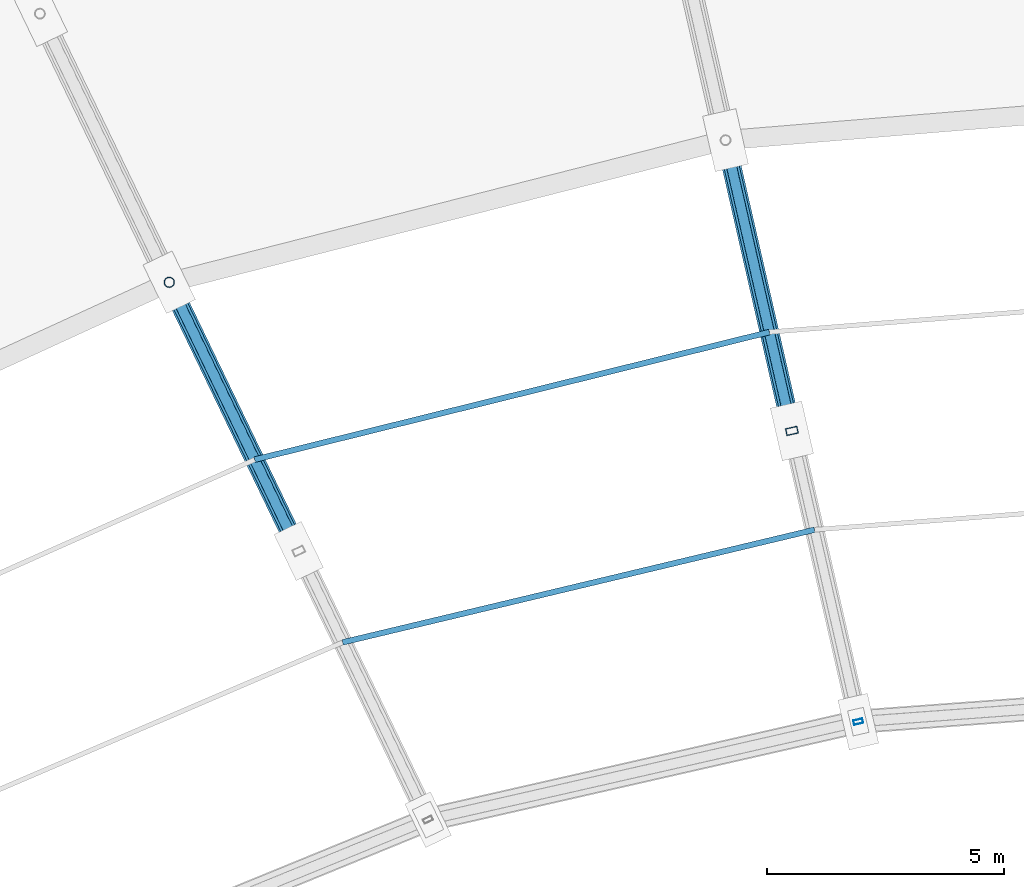
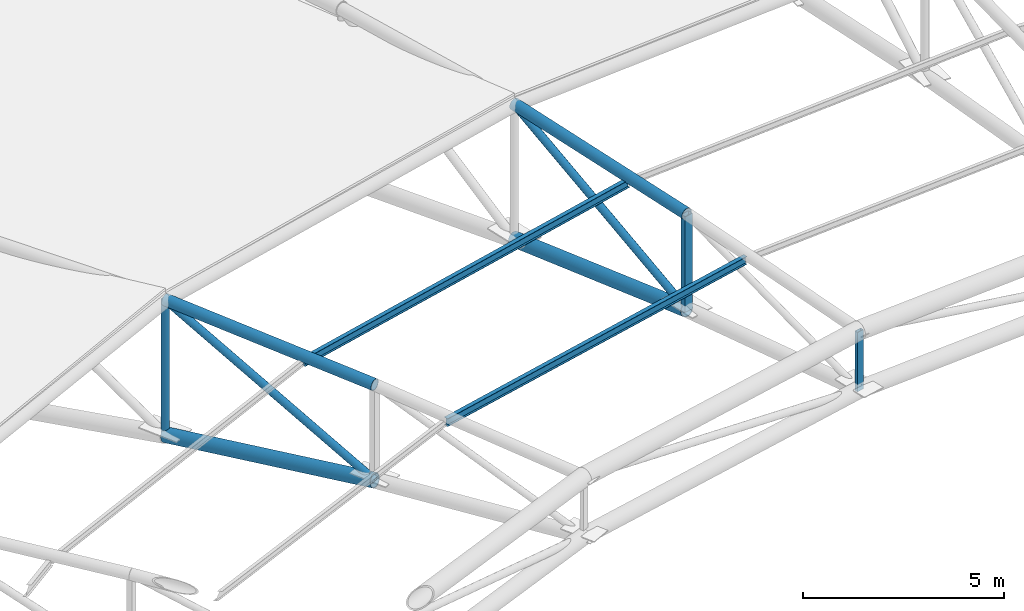
# One storey, part 47 of 108: 11 members.
"""IFC4 building model written with IfcOpenShell, lengths in metres."""

from ifc_helpers import new_model, si_unit, direction, frame, origin, origin_2d, place, context, subcontext, project, spatial, hollow_rectangle, hollow_circle, i_section, extrude, material, material_profile, profile_set, type_object, element, save


model = new_model("IFC4")

# Units and contexts
model_context = context("Model", 3, precision=1e-05, world=origin(), true_north=direction((0.0, 1.0)))
body_context = subcontext(model_context, "Body", "Model", "MODEL_VIEW")
ifc_project = project(units=[si_unit("LENGTHUNIT", "METRE"), si_unit("AREAUNIT", "SQUARE_METRE"), si_unit("VOLUMEUNIT", "CUBIC_METRE"), si_unit("PLANEANGLEUNIT", "RADIAN"), si_unit("MASSUNIT", "GRAM", prefix="KILO")], contexts=[model_context])

# Site, building, storey
site_placement = place(None, origin())
site = spatial("IfcSite", under=ifc_project, at=site_placement, CompositionType="ELEMENT")
building_placement = place(site_placement, origin())
building = spatial("IfcBuilding", under=site, at=building_placement, Name="Zevraka Park Crest Stadium", CompositionType="ELEMENT")
storey_placement = place(building_placement, frame((0.0, 0.0, 29.39990234375)))
storey = spatial("IfcBuildingStorey", under=building, at=storey_placement, Name="RF", CompositionType="ELEMENT", Elevation=29.39990234375)

# Members
ifc_material_1 = material(Name="Steel S355", Category="steel")
ifc_material_profile_1 = material_profile(ifc_material_1, i_section(OverallWidth=0.1201171875, OverallDepth=0.239990234375, WebThickness=0.006103515625, FlangeThickness=0.009765625, at=origin_2d()), Name="IPE 240")
ifc_profile_set_1 = profile_set([ifc_material_profile_1], Name="Steel S355")
member_type_1 = type_object("IfcMemberType", Name="PR01", PredefinedType="PURLIN", material=ifc_profile_set_1)
member_1_placement = place(storey_placement, frame((100.552978515625, 127.528076171875, 9.153076171875), z_axis=(-0.970627708153, -0.240586475442, 0.0), x_axis=(0.240586475442, -0.970627708153, 0.0)))
element("IfcMember", 1, at=member_1_placement, inside=storey, type_object=member_type_1, Name="Canopy Roof Purlin PR01 INNER-09-1", PredefinedType="PURLIN", context=body_context, shape_type="SweptSolid", body=[
    extrude(i_section(OverallWidth=0.1201171875, OverallDepth=0.239990234375, WebThickness=0.006103515625, FlangeThickness=0.009765625, at=origin_2d()), origin(), (0.0, 0.0, 1.0), 11.2021484375),
])
member_2_placement = place(storey_placement, frame((101.507080078125, 123.35205078125, 9.01708984375), z_axis=(-0.972678259611, -0.232157281342, 0.0), x_axis=(0.232157281342, -0.972678259611, 0.0)))
element("IfcMember", 2, at=member_2_placement, inside=storey, type_object=member_type_1, Name="Canopy Roof Purlin PR01 INNER-09-2", PredefinedType="PURLIN", context=body_context, shape_type="SweptSolid", body=[
    extrude(i_section(OverallWidth=0.1201171875, OverallDepth=0.239990234375, WebThickness=0.006103515625, FlangeThickness=0.009765625, at=origin_2d()), origin(), (0.0, 0.0, 1.0), 10.248046875),
])
ifc_material_2 = material(Name="Steel S355", Category="steel")
ifc_material_profile_2 = material_profile(ifc_material_2, hollow_circle(Radius=0.203125, WallThickness=0.02001953125, at=origin_2d()), Name="CHS 406.4x20")
ifc_profile_set_2 = profile_set([ifc_material_profile_2], Name="Steel S355")
member_type_2 = type_object("IfcMemberType", Name="TC03", PredefinedType="CHORD", material=ifc_profile_set_2)
for number, where, z_axis, x_axis, name in (
    (3, (99.6279296875, 131.58203125, 5.300048828125), (0.219235037488, -0.960389182158, 0.172013421369), (0.974920760158, 0.222552266698, 0.0), "Roof Truss Bottom Chord TC03 T09-6"),
    (4, (87.8759765625, 128.5791015625, 5.300048828125), (0.427505766927, -0.887497238618, 0.172010088916), (0.900925361812, 0.43397406886, 0.0), "Roof Truss Bottom Chord TC03 T10-6"),
):
    element("IfcMember", number, at=place(storey_placement, frame(where, z_axis=z_axis, x_axis=x_axis)), inside=storey, type_object=member_type_2, Name=name, PredefinedType="CHORD", context=body_context, shape_type="SweptSolid", body=[
        extrude(hollow_circle(Radius=0.203125, WallThickness=0.02001953125, at=origin_2d()), origin(), (0.0, 0.0, 1.0), 6.3955078125),
    ])
ifc_material_3 = material(Name="Steel S355", Category="steel")
ifc_material_profile_3 = material_profile(ifc_material_3, hollow_circle(Radius=0.161865234375, WallThickness=0.01611328125, at=origin_2d()), Name="CHS 323.9x16")
ifc_profile_set_3 = profile_set([ifc_material_profile_3], Name="Steel S355")
member_type_3 = type_object("IfcMemberType", Name="TC04", PredefinedType="CHORD", material=ifc_profile_set_3)
member_3_placement = place(storey_placement, frame((99.6279296875, 131.58203125, 9.400146484375), z_axis=(0.22252418173, -0.974797730099, -0.015886281475), x_axis=(0.974920760158, 0.222552266698, 0.0)))
element("IfcMember", 5, at=member_3_placement, inside=storey, type_object=member_type_3, Name="Roof Truss Top Chord TC04 T09-6", PredefinedType="CHORD", context=body_context, shape_type="SweptSolid", body=[
    extrude(hollow_circle(Radius=0.161865234375, WallThickness=0.01611328125, at=origin_2d()), origin(), (0.0, 0.0, 1.0), 6.30078125),
])
member_4_placement = place(storey_placement, frame((87.8759765625, 128.5791015625, 9.400146484375), z_axis=(0.433919305719, -0.900811674136, -0.015885964403), x_axis=(0.900925361812, 0.43397406886, 0.0)))
element("IfcMember", 6, at=member_4_placement, inside=storey, type_object=member_type_3, Name="Roof Truss Top Chord TC04 T10-6", PredefinedType="CHORD", context=body_context, shape_type="SweptSolid", body=[
    extrude(hollow_circle(Radius=0.161865234375, WallThickness=0.01611328125, at=origin_2d()), origin(), (0.0, 0.0, 1.0), 6.301025390625),
])
ifc_material_4 = material(Name="Steel S355", Category="steel")
ifc_material_profile_4 = material_profile(ifc_material_4, hollow_circle(Radius=0.109619140625, WallThickness=0.010009765625, at=origin_2d()), Name="CHS 219.1x10")
ifc_profile_set_4 = profile_set([ifc_material_profile_4], Name="Steel S355")
member_type_4 = type_object("IfcMemberType", Name="WB02", PredefinedType="BRACE", material=ifc_profile_set_4)
member_5_placement = place(storey_placement, frame((101.030029296875, 125.43994140625, 6.400146484375), z_axis=(-0.200934193488, 0.880219822352, 0.429928498969), x_axis=(-0.974920760158, -0.222552266698, 0.0)))
element("IfcMember", 7, at=member_5_placement, inside=storey, type_object=member_type_4, Name="Roof Truss Web Diagonal WB02 T09-6", PredefinedType="BRACE", context=body_context, shape_type="SweptSolid", body=[
    extrude(hollow_circle(Radius=0.109619140625, WallThickness=0.010009765625, at=origin_2d()), origin(), (0.0, 0.0, 1.0), 6.977783203125),
])
member_6_placement = place(storey_placement, frame((87.8759765625, 128.5791015625, 5.300048828125), z_axis=(0.0, 0.0, 1.0), x_axis=(-0.43381634559, 0.90100131981, 0.0)))
element("IfcMember", 8, at=member_6_placement, inside=storey, type_object=member_type_4, Name="Roof Truss Web Post WB02 T10-5", PredefinedType="BRACE", context=body_context, shape_type="SweptSolid", body=[
    extrude(hollow_circle(Radius=0.109619140625, WallThickness=0.010009765625, at=origin_2d()), origin(), (0.0, 0.0, 1.0), 4.10009765625),
])
member_7_placement = place(storey_placement, frame((90.610107421875, 122.903076171875, 6.400146484375), z_axis=(-0.391820548902, 0.813415121121, 0.429921502358), x_axis=(-0.900925361812, -0.43397406886, 0.0)))
element("IfcMember", 9, at=member_7_placement, inside=storey, type_object=member_type_4, Name="Roof Truss Web Diagonal WB02 T10-6", PredefinedType="BRACE", context=body_context, shape_type="SweptSolid", body=[
    extrude(hollow_circle(Radius=0.109619140625, WallThickness=0.010009765625, at=origin_2d()), origin(), (0.0, 0.0, 1.0), 6.97802734375),
])
ifc_material_5 = material(Name="Steel S355", Category="steel")
ifc_material_profile_5 = material_profile(ifc_material_5, hollow_rectangle(XDim=0.14990234375, YDim=0.25, WallThickness=0.010009765625, at=origin_2d()), Name="RHS 250x150x10")
ifc_profile_set_5 = profile_set([ifc_material_profile_5], Name="Steel S355")
member_type_5 = type_object("IfcMemberType", Name="WB04", PredefinedType="BRACE", material=ifc_profile_set_5)
member_8_placement = place(storey_placement, frame((101.030029296875, 125.43994140625, 6.400146484375), z_axis=(0.0, 0.0, 1.0), x_axis=(-0.222569549971, 0.974916814618, 0.0)))
element("IfcMember", 10, at=member_8_placement, inside=storey, type_object=member_type_5, Name="Roof Truss Web Post WB04 T09-6", PredefinedType="BRACE", context=body_context, shape_type="SweptSolid", body=[
    extrude(hollow_rectangle(XDim=0.14990234375, YDim=0.25, WallThickness=0.010009765625, at=origin_2d()), origin(), (0.0, 0.0, 1.0), 2.89990234375),
])
ifc_material_6 = material(Name="Steel S355", Category="steel")
ifc_material_profile_6 = material_profile(ifc_material_6, hollow_rectangle(XDim=0.10009765625, YDim=0.199951171875, WallThickness=0.008056640625, at=origin_2d()), Name="RHS 200x100x8")
ifc_profile_set_6 = profile_set([ifc_material_profile_6], Name="Steel S355")
member_type_6 = type_object("IfcMemberType", Name="WB05", PredefinedType="BRACE", material=ifc_profile_set_6)
member_9_placement = place(storey_placement, frame((102.431884765625, 119.298095703125, 7.2001953125), z_axis=(0.0, 0.0, 1.0), x_axis=(-0.222569549971, 0.974916814618, 0.0)))
element("IfcMember", 11, at=member_9_placement, inside=storey, type_object=member_type_6, Name="Roof Truss Web Post WB05 T09-7", PredefinedType="BRACE", context=body_context, shape_type="SweptSolid", body=[
    extrude(hollow_rectangle(XDim=0.10009765625, YDim=0.199951171875, WallThickness=0.008056640625, at=origin_2d()), origin(), (0.0, 0.0, 1.0), 1.7998046875),
])

save(model, "model.ifc")
